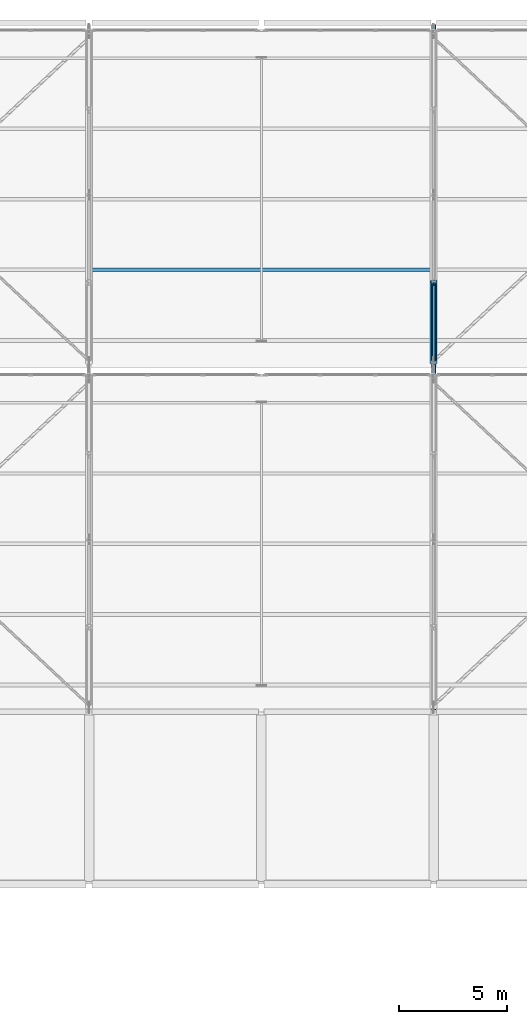
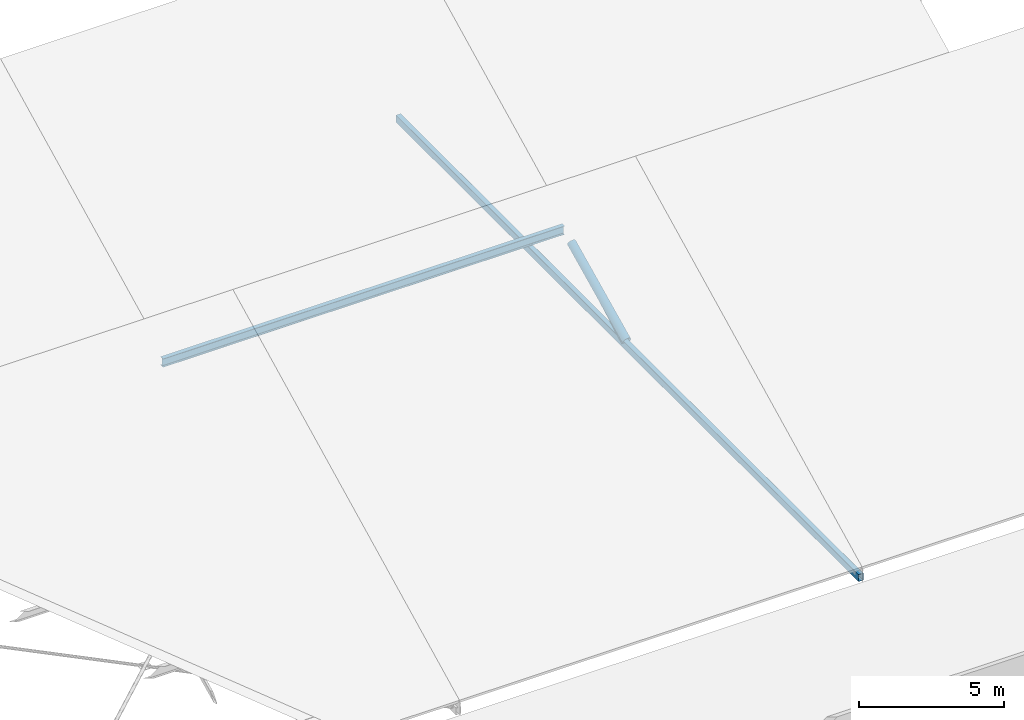
# One storey, part 83 of 137: 3 members, 1 beam.
"""IFC4 building model written with IfcOpenShell, lengths in metres."""

from ifc_helpers import new_model, si_unit, direction, frame, origin, origin_2d, place, context, subcontext, project, spatial, hollow_rectangle, hollow_circle, i_section, extrude, material, material_profile, profile_set, type_object, element, save


model = new_model("IFC4")

# Units and contexts
model_context = context("Model", 3, precision=1e-05, world=origin(), true_north=direction((0.0, 1.0)))
body_context = subcontext(model_context, "Body", "Model", "MODEL_VIEW")
ifc_project = project(units=[si_unit("LENGTHUNIT", "METRE"), si_unit("AREAUNIT", "SQUARE_METRE"), si_unit("VOLUMEUNIT", "CUBIC_METRE"), si_unit("PLANEANGLEUNIT", "RADIAN"), si_unit("MASSUNIT", "GRAM", prefix="KILO")], contexts=[model_context])

# Site, building, storey
site_placement = place(None, origin())
site = spatial("IfcSite", under=ifc_project, at=site_placement, CompositionType="ELEMENT")
building_placement = place(site_placement, origin())
building = spatial("IfcBuilding", under=site, at=building_placement, Name="Jelvoka-Kovrelna Polytechnic", CompositionType="ELEMENT")
storey_placement = place(building_placement, frame((0.0, 0.0, 9.60009765625)))
storey = spatial("IfcBuildingStorey", under=building, at=storey_placement, Name="L03", CompositionType="ELEMENT", Elevation=9.60009765625)

# Members
ifc_material_1 = material(Name="Structural steel S355J2H", Category="steel")
ifc_material_profile_1 = material_profile(ifc_material_1, hollow_circle(Radius=0.109619140625, WallThickness=0.008056640625, at=origin_2d()), Name="219.1x8.0 CHS")
ifc_profile_set_1 = profile_set([ifc_material_profile_1], Name="Structural steel S355J2H")
member_type_1 = type_object("IfcMemberType", Name="Member_Brace_CHS219", PredefinedType="BRACE", material=ifc_profile_set_1)
member_1_placement = place(storey_placement, frame((184.0, 104.340087890625, 0.14990234375), z_axis=(0.0, 0.878084029324, 0.478506465418), x_axis=(-1.0, 0.0, 0.0)))
element("IfcMember", 1, at=member_1_placement, inside=storey, type_object=member_type_1, Name="Sawtooth truss 7 diagonal web 2.1", PredefinedType="BRACE", context=body_context, shape_type="SweptSolid", body=[
    extrude(hollow_circle(Radius=0.109619140625, WallThickness=0.008056640625, at=origin_2d()), origin(), (0.0, 0.0, 1.0), 4.0087890625),
])
ifc_material_2 = material(Name="Structural steel S355J2H", Category="steel")
ifc_material_profile_2 = material_profile(ifc_material_2, hollow_circle(Radius=0.161865234375, WallThickness=0.010009765625, at=origin_2d()), Name="323.9x10.0 CHS")
ifc_profile_set_2 = profile_set([ifc_material_profile_2], Name="Structural steel S355J2H")
member_type_2 = type_object("IfcMemberType", Name="Member_Chord_CHS324", PredefinedType="CHORD", material=ifc_profile_set_2)
member_2_placement = place(storey_placement, frame((184.0, 104.199951171875, 0.31640625), z_axis=(0.0, 0.900803851837, 0.434226231952), x_axis=(-1.0, 0.0, 0.0)))
element("IfcMember", 2, at=member_2_placement, inside=storey, type_object=member_type_2, Name="Sawtooth truss 7 top chord 2.1", PredefinedType="CHORD", context=body_context, shape_type="SweptSolid", body=[
    extrude(hollow_circle(Radius=0.161865234375, WallThickness=0.010009765625, at=origin_2d()), origin(), (0.0, 0.0, 1.0), 4.218505859375),
])
ifc_material_3 = material(Name="Structural steel S355J2H", Category="steel")
ifc_material_profile_3 = material_profile(ifc_material_3, hollow_rectangle(XDim=0.199951171875, YDim=0.300048828125, WallThickness=0.010009765625, InnerFilletRadius=0.010009765625, OuterFilletRadius=0.014892578125, at=origin_2d()), Name="300x200x10.0 RHS")
ifc_profile_set_3 = profile_set([ifc_material_profile_3], Name="Structural steel S355J2H")
member_type_3 = type_object("IfcMemberType", Name="Member_Chord_RHS300", PredefinedType="CHORD", material=ifc_profile_set_3)
member_3_placement = place(storey_placement, frame((184.0, 88.080078125, 0.14990234375), z_axis=(0.0, 1.0, 0.0), x_axis=(-1.0, 0.0, 0.0)))
element("IfcMember", 3, at=member_3_placement, inside=storey, type_object=member_type_3, Name="Sawtooth truss 7 continuous bottom chord", PredefinedType="CHORD", context=body_context, shape_type="SweptSolid", body=[
    extrude(hollow_rectangle(XDim=0.199951171875, YDim=0.300048828125, WallThickness=0.010009765625, InnerFilletRadius=0.010009765625, OuterFilletRadius=0.014892578125, at=origin_2d()), origin(), (0.0, 0.0, 1.0), 31.83984375),
])

# Beam
ifc_material_4 = material(Name="Structural steel S355JR", Category="steel")
ifc_material_profile_4 = material_profile(ifc_material_4, i_section(OverallWidth=0.17138671875, OverallDepth=0.35498046875, WebThickness=0.00732421875, FlangeThickness=0.011474609375, FilletRadius=0.01025390625, at=origin_2d()), Name="356x171x51 UB")
ifc_profile_set_4 = profile_set([ifc_material_profile_4], Name="Structural steel S355JR")
beam_type = type_object("IfcBeamType", Name="Purlin_Steel_UB356", PredefinedType="JOIST", material=ifc_profile_set_4)
beam_placement = place(storey_placement, frame((168.02001953125, 108.52392578125, 2.400634765625), z_axis=(1.0, 0.0, 0.0), x_axis=(0.0, 1.0, 0.0)))
element("IfcBeam", 4, at=beam_placement, inside=storey, type_object=beam_type, Name="Sawtooth roof purlin 057", PredefinedType="JOIST", context=body_context, shape_type="SweptSolid", body=[
    extrude(i_section(OverallWidth=0.17138671875, OverallDepth=0.35498046875, WebThickness=0.00732421875, FlangeThickness=0.011474609375, FilletRadius=0.01025390625, at=origin_2d()), origin(), (0.0, 0.0, 1.0), 15.9599609375),
])

save(model, "model.ifc")
